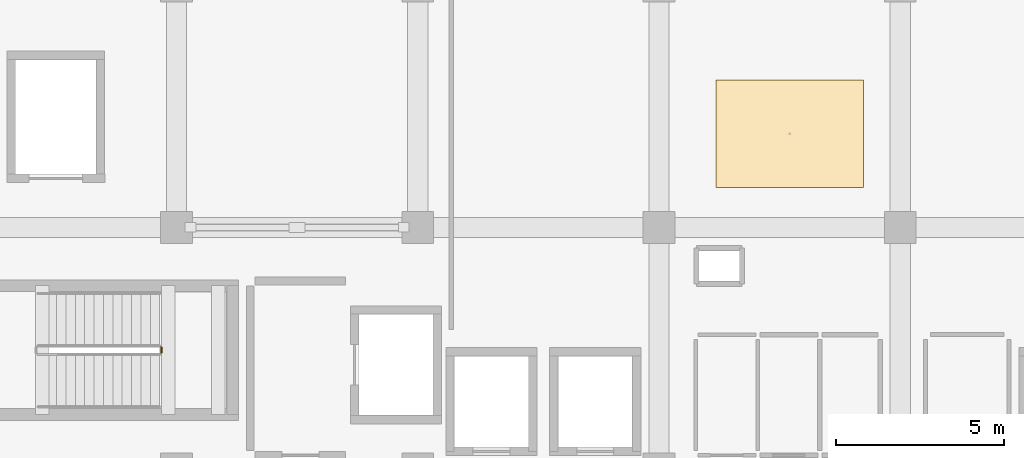
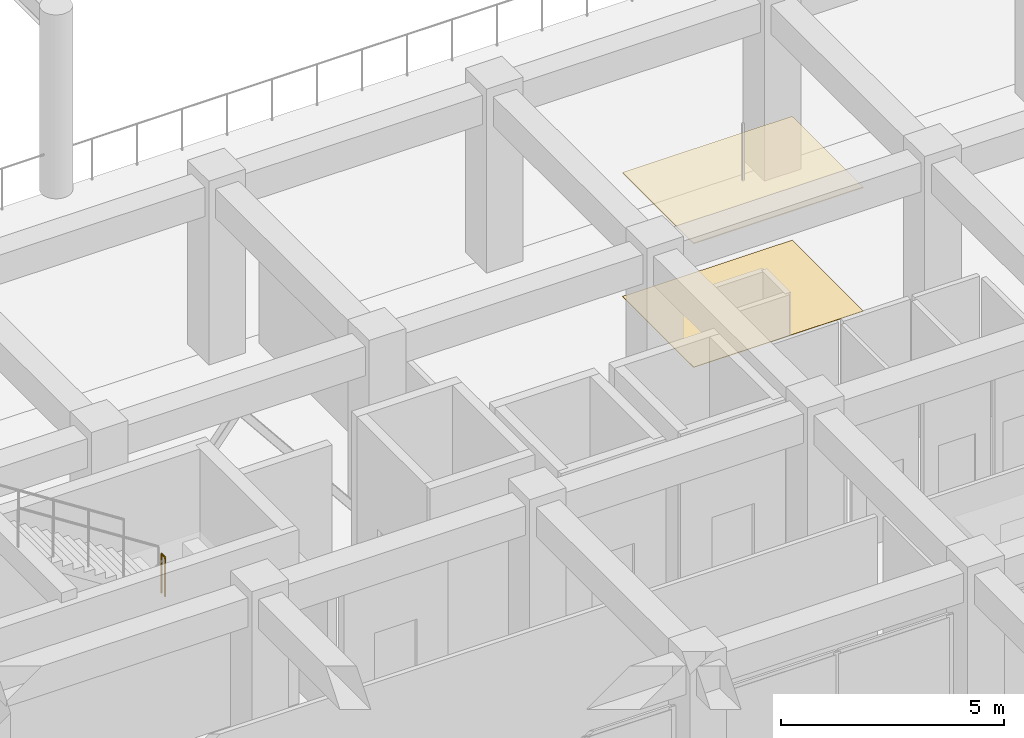
# One storey, part 50 of 54: 2 coverings, 1 railing.
"""IFC4 building model written with IfcOpenShell, lengths in metres."""

from ifc_helpers import new_model, si_unit, direction, frame, origin, origin_2d, place, context, subcontext, project, spatial, rectangle, circle, extrude, material, layer, layer_set, type_object, element, save


model = new_model("IFC4")

# Units and contexts
model_context = context("Model", 3, precision=1e-05, world=origin(), true_north=direction((0.0, 1.0)))
body_context = subcontext(model_context, "Body", "Model", "MODEL_VIEW")
ifc_project = project(units=[si_unit("LENGTHUNIT", "METRE"), si_unit("AREAUNIT", "SQUARE_METRE"), si_unit("VOLUMEUNIT", "CUBIC_METRE"), si_unit("PLANEANGLEUNIT", "RADIAN"), si_unit("MASSUNIT", "GRAM", prefix="KILO")], contexts=[model_context])

# Site, building, storey
site_placement = place(None, origin())
site = spatial("IfcSite", under=ifc_project, at=site_placement, CompositionType="ELEMENT")
building_placement = place(site_placement, origin())
building = spatial("IfcBuilding", under=site, at=building_placement, Name="Kazehaya Institute of Natural Sciences", CompositionType="ELEMENT")
storey_placement = place(building_placement, frame((0.0, 0.0, 5.39990234375)))
storey = spatial("IfcBuildingStorey", under=building, at=storey_placement, Name="L01", CompositionType="ELEMENT", Elevation=5.39990234375)

# Coverings
ifc_material_1 = material(Name="Mineral-fibre acoustic ceiling tile")
ifc_layer_1 = layer(ifc_material_1, 0.02490234375, Name="Mineral-fibre acoustic ceiling tile")
ifc_layer_set_1 = layer_set([ifc_layer_1], Name="Mineral-fibre acoustic ceiling tile")
covering_type_1 = type_object("IfcCoveringType", Name="COV-CEIL-AC", PredefinedType="CEILING", material=ifc_layer_set_1)
covering_1_placement = place(storey_placement, frame((87.302001953125, 31.19580078125, 3.3876953125), z_axis=(0.0, 0.0, 1.0), x_axis=(1.0, 0.0, 0.0)))
element("IfcCovering", 1, at=covering_1_placement, inside=storey, type_object=covering_type_1, Name="L01 Cell Culture Laboratory ceiling 16", PredefinedType="CEILING", context=body_context, shape_type="SweptSolid", body=[
    extrude(rectangle(XDim=4.39990234375, YDim=3.199951171875, at=origin_2d()), origin(), (0.0, 0.0, 1.0), 0.02490234375),
])
ifc_material_2 = material(Name="Seamless chemical-resistant epoxy flooring")
ifc_layer_2 = layer(ifc_material_2, 0.014892578125, Name="Seamless chemical-resistant epoxy flooring")
ifc_layer_set_2 = layer_set([ifc_layer_2], Name="Seamless chemical-resistant epoxy flooring")
covering_type_2 = type_object("IfcCoveringType", Name="COV-FLR-EPX", PredefinedType="FLOORING", material=ifc_layer_set_2)
covering_2_placement = place(storey_placement, frame((87.302001953125, 31.19580078125, 0.0), z_axis=(0.0, 0.0, 1.0), x_axis=(1.0, 0.0, 0.0)))
element("IfcCovering", 2, at=covering_2_placement, inside=storey, type_object=covering_type_2, Name="L01 Cell Culture Laboratory finish flooring 16", PredefinedType="FLOORING", context=body_context, shape_type="SweptSolid", body=[
    extrude(rectangle(XDim=4.39990234375, YDim=3.199951171875, at=origin_2d()), origin(), (0.0, 0.0, 1.0), 0.014892578125),
])

# Railing
ifc_material_3 = material(Name="Structural steel SN490B", Category="steel")
railing_type = type_object("IfcRailingType", Name="RL-STAIR-GRD", PredefinedType="GUARDRAIL", material=ifc_material_3)
railing_placement = place(storey_placement, frame((68.550048828125, 24.659912109375, 2.52001953125)))
element("IfcRailing", 3, at=railing_placement, inside=storey, type_object=railing_type, Name="L01 ST-1 stair guard 2", PredefinedType="GUARDRAIL", context=body_context, shape_type="SweptSolid", body=[
    extrude(circle(Radius=0.02392578125, at=origin_2d()), frame((0.0, 0.0, 1.076171875), z_axis=(0.0, 1.0, 0.0), x_axis=(-1.0, 0.0, 0.0)), (0.0, 0.0, 1.0), 0.16015625),
    extrude(circle(Radius=0.02099609375, at=origin_2d()), origin(), (0.0, 0.0, 1.0), 1.052001953125),
    extrude(circle(Radius=0.02099609375, at=origin_2d()), frame((0.0, 0.16015625, 0.0)), (0.0, 0.0, 1.0), 1.052001953125),
])

save(model, "model.ifc")
